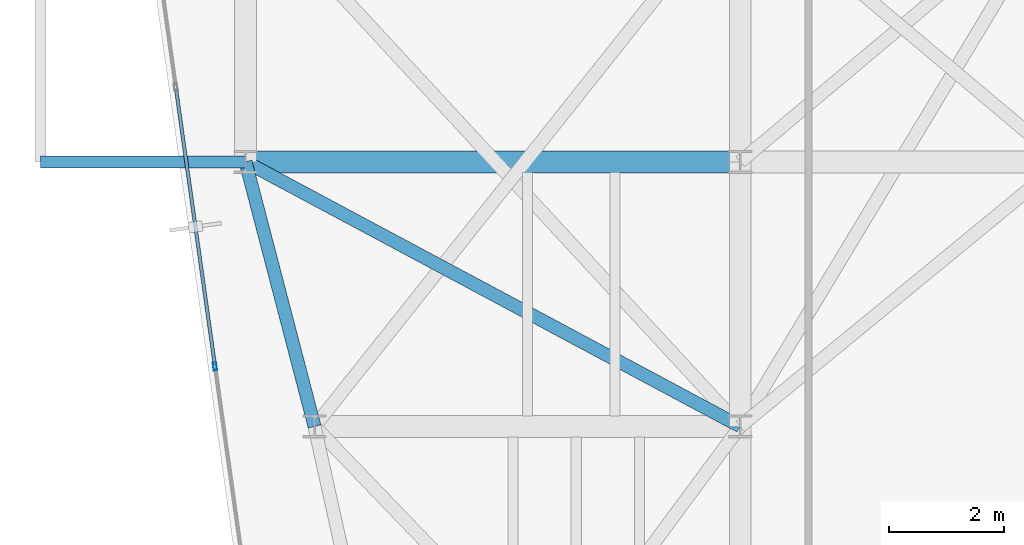
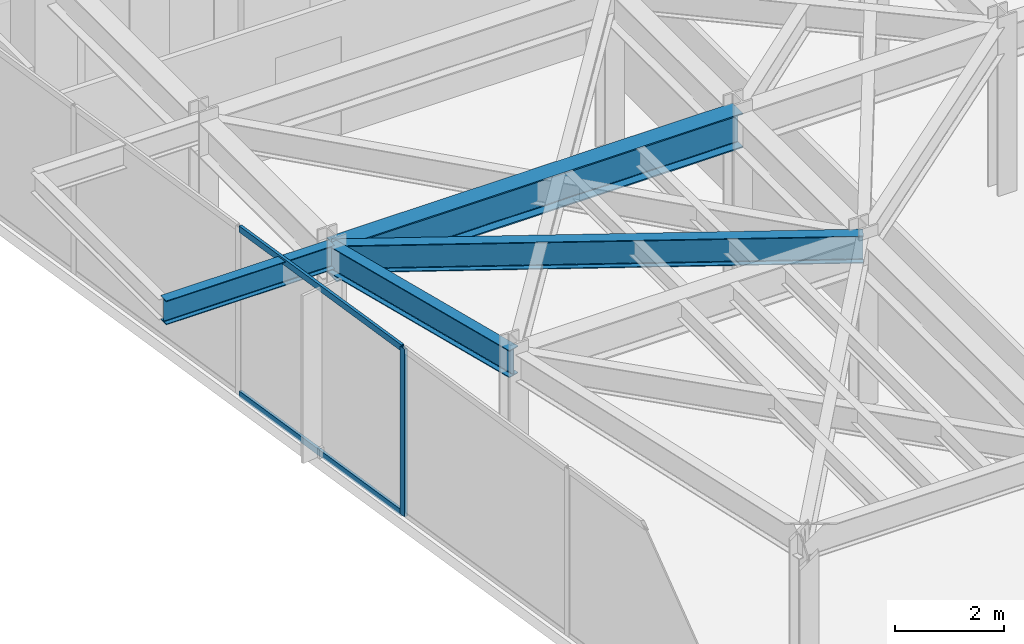
# One storey, part 4 of 27: 4 beams, 3 members, 1 element without a shape of its own.
"""IFC4 building model written with IfcOpenShell, lengths in metres."""

from ifc_helpers import new_model, si_unit, direction, frame, origin, origin_2d, place, context, subcontext, project, spatial, hollow_rectangle, i_section, extrude, material, layer, layer_set, material_profile, profile_set, type_object, element, aggregate, save


model = new_model("IFC4")

# Units and contexts
model_context = context("Model", 3, precision=1e-05, world=origin(), true_north=direction((0.0, 1.0)))
body_context = subcontext(model_context, "Body", "Model", "MODEL_VIEW")
ifc_project = project(units=[si_unit("LENGTHUNIT", "METRE"), si_unit("AREAUNIT", "SQUARE_METRE"), si_unit("VOLUMEUNIT", "CUBIC_METRE"), si_unit("PLANEANGLEUNIT", "RADIAN"), si_unit("MASSUNIT", "GRAM", prefix="KILO")], contexts=[model_context])

# Site, building, storey
site_placement = place(None, origin())
site = spatial("IfcSite", under=ifc_project, at=site_placement, CompositionType="ELEMENT")
building_placement = place(site_placement, origin())
building = spatial("IfcBuilding", under=site, at=building_placement, Name="Kravanh Interchange Tower", CompositionType="ELEMENT")
storey_placement = place(building_placement, frame((0.0, 0.0, 196.5)))
storey = spatial("IfcBuildingStorey", under=building, at=storey_placement, Name="L47", CompositionType="ELEMENT", Elevation=196.5)

# Curtain wall, members
ifc_material_1 = material(Name="Anodised Bronze Aluminium", Category="aluminium")
ifc_layer = layer(ifc_material_1, 0.179931640625)
ifc_layer_set = layer_set([ifc_layer], Name="Unitised Curtain Wall System CW-Z3 Upper Office")
curtain_wall_type = type_object("IfcCurtainWallType", Name="Unitised Curtain Wall System CW-Z3 Upper Office", PredefinedType="NOTDEFINED", material=ifc_layer_set)
curtain_wall_placement = place(storey_placement, origin())
curtain_wall = element("IfcCurtainWall", 1, at=curtain_wall_placement, inside=storey, type_object=curtain_wall_type, Name="L47 Unitised Curtain Wall CW-L47-01", PredefinedType="NOTDEFINED")
ifc_material_2 = material(Name="Anodised Bronze Aluminium", Category="aluminium")
ifc_material_profile_1 = material_profile(ifc_material_2, hollow_rectangle(XDim=0.06005859375, YDim=0.139892578125, WallThickness=0.00390625, at=origin_2d()), Name="ALU60X140X4")
ifc_profile_set_1 = profile_set([ifc_material_profile_1], Name="Anodised Bronze Aluminium")
member_type_1 = type_object("IfcMemberType", Name="Curtain Wall Mullion ALU60X140X4 Bronze", PredefinedType="MULLION", material=ifc_profile_set_1)
member_1_placement = place(storey_placement, frame((18.070556640625, 23.244384765625, 0.0), z_axis=(0.0, 0.0, 1.0), x_axis=(-0.990268194035, -0.139172209446, 0.0)))
member_1 = element("IfcMember", 2, at=member_1_placement, type_object=member_type_1, Name="CW-Z3 mullion 3", PredefinedType="MULLION", context=body_context, shape_type="SweptSolid", body=[
    extrude(hollow_rectangle(XDim=0.06005859375, YDim=0.139892578125, WallThickness=0.00390625, at=origin_2d()), origin(), (0.0, 0.0, 1.0), 3.7548828125),
])
ifc_material_3 = material(Name="Anodised Bronze Aluminium", Category="aluminium")
ifc_material_profile_2 = material_profile(ifc_material_3, hollow_rectangle(XDim=0.06005859375, YDim=0.139892578125, WallThickness=0.00390625, at=origin_2d()), Name="ALU60X140X4")
ifc_profile_set_2 = profile_set([ifc_material_profile_2], Name="Anodised Bronze Aluminium")
member_type_2 = type_object("IfcMemberType", Name="Curtain Wall Transom ALU60X140X4 Bronze", PredefinedType="USERDEFINED", material=ifc_profile_set_2)
member_2_placement = place(storey_placement, frame((18.06640625, 23.274169921875, 0.030029296875), z_axis=(-0.139182174391, 0.990266793512, 0.0), x_axis=(-0.990266793512, -0.139182174391, 0.0)))
member_2 = element("IfcMember", 3, at=member_2_placement, type_object=member_type_2, Name="CW-Z3 transom 3.1", ObjectType="TRANSOM", PredefinedType="USERDEFINED", context=body_context, shape_type="SweptSolid", body=[
    extrude(hollow_rectangle(XDim=0.06005859375, YDim=0.139892578125, WallThickness=0.00390625, at=origin_2d()), origin(), (0.0, 0.0, 1.0), 4.839599609375),
])
member_3_placement = place(storey_placement, frame((18.06640625, 23.274169921875, 3.72509765625), z_axis=(-0.139182174391, 0.990266793512, 0.0), x_axis=(-0.990266793512, -0.139182174391, 0.0)))
member_3 = element("IfcMember", 4, at=member_3_placement, type_object=member_type_2, Name="CW-Z3 transom 3.2", ObjectType="TRANSOM", PredefinedType="USERDEFINED", context=body_context, shape_type="SweptSolid", body=[
    extrude(hollow_rectangle(XDim=0.06005859375, YDim=0.139892578125, WallThickness=0.00390625, at=origin_2d()), origin(), (0.0, 0.0, 1.0), 4.839599609375),
])
aggregate(curtain_wall, [member_1, member_2, member_3])

# Beams
ifc_material_4 = material(Name="Structural Steel S355", Category="steel")
ifc_material_profile_3 = material_profile(ifc_material_4, i_section(OverallWidth=0.381103515625, OverallDepth=0.77294921875, WebThickness=0.0166015625, FlangeThickness=0.027099609375, FilletRadius=0.02490234375, at=origin_2d()), Name="W30X173")
ifc_profile_set_3 = profile_set([ifc_material_profile_3], Name="Structural Steel S355")
beam_type_1 = type_object("IfcBeamType", Name="Floor Beam W30X173 Structural Steel S355", PredefinedType="BEAM", material=ifc_profile_set_3)
beam_1_placement = place(storey_placement, frame((18.60009765625, 26.800048828125, 3.368408203125), z_axis=(1.0, 0.0, 0.0), x_axis=(0.0, 1.0, 0.0)))
element("IfcBeam", 5, at=beam_1_placement, inside=storey, type_object=beam_type_1, Name="L47 Primary Floor Girder 35", PredefinedType="BEAM", context=body_context, shape_type="SweptSolid", body=[
    extrude(i_section(OverallWidth=0.381103515625, OverallDepth=0.77294921875, WebThickness=0.0166015625, FlangeThickness=0.027099609375, FilletRadius=0.02490234375, at=origin_2d()), origin(), (0.0, 0.0, 1.0), 8.599853515625),
])
ifc_material_5 = material(Name="Structural Steel S355", Category="steel")
ifc_material_profile_4 = material_profile(ifc_material_5, i_section(OverallWidth=0.2099609375, OverallDepth=0.537109375, WebThickness=0.010986328125, FlangeThickness=0.017333984375, FilletRadius=0.02001953125, at=origin_2d()), Name="W21X68")
ifc_profile_set_4 = profile_set([ifc_material_profile_4], Name="Structural Steel S355")
beam_type_2 = type_object("IfcBeamType", Name="Floor Spandrel W21X68 Structural Steel S355", PredefinedType="SPANDREL", material=ifc_profile_set_4)
beam_2_placement = place(storey_placement, frame((18.60009765625, 26.800048828125, 3.486572265625), z_axis=(-1.0, 0.0, 0.0), x_axis=(0.0, -1.0, 0.0)))
element("IfcBeam", 6, at=beam_2_placement, inside=storey, type_object=beam_type_2, Name="L47 Balcony Cantilever Outrigger W1", PredefinedType="SPANDREL", context=body_context, shape_type="SweptSolid", body=[
    extrude(i_section(OverallWidth=0.2099609375, OverallDepth=0.537109375, WebThickness=0.010986328125, FlangeThickness=0.017333984375, FilletRadius=0.02001953125, at=origin_2d()), origin(), (0.0, 0.0, 1.0), 3.564208984375),
])
ifc_material_6 = material(Name="Structural Steel S355", Category="steel")
ifc_material_profile_5 = material_profile(ifc_material_6, i_section(OverallWidth=0.22802734375, OverallDepth=0.60791015625, WebThickness=0.01123046875, FlangeThickness=0.017333984375, FilletRadius=0.02197265625, at=origin_2d()), Name="W24X76")
ifc_profile_set_5 = profile_set([ifc_material_profile_5], Name="Structural Steel S355")
beam_type_3 = type_object("IfcBeamType", Name="Floor Spandrel W24X76 Structural Steel S355", PredefinedType="SPANDREL", material=ifc_profile_set_5)
beam_3_placement = place(storey_placement, frame((18.60009765625, 26.800048828125, 3.450927734375), z_axis=(0.252407263364, -0.967621089787, 0.0), x_axis=(0.967621089787, 0.252407263364, 0.0)))
element("IfcBeam", 7, at=beam_3_placement, inside=storey, type_object=beam_type_3, Name="L47 Perimeter Spandrel 34", PredefinedType="SPANDREL", context=body_context, shape_type="SweptSolid", body=[
    extrude(i_section(OverallWidth=0.22802734375, OverallDepth=0.60791015625, WebThickness=0.01123046875, FlangeThickness=0.017333984375, FilletRadius=0.02197265625, at=origin_2d()), origin(), (0.0, 0.0, 1.0), 4.75390625),
])
beam_4_placement = place(storey_placement, frame((18.60009765625, 26.800048828125, 3.450927734375), z_axis=(0.881777136221, -0.471666282489, 0.0), x_axis=(0.471666282489, 0.881777136221, 0.0)))
element("IfcBeam", 8, at=beam_4_placement, inside=storey, type_object=beam_type_3, Name="L47 Perimeter Spandrel 36", PredefinedType="SPANDREL", context=body_context, shape_type="SweptSolid", body=[
    extrude(i_section(OverallWidth=0.22802734375, OverallDepth=0.60791015625, WebThickness=0.01123046875, FlangeThickness=0.017333984375, FilletRadius=0.02197265625, at=origin_2d()), origin(), (0.0, 0.0, 1.0), 9.7529296875),
])

save(model, "model.ifc")
